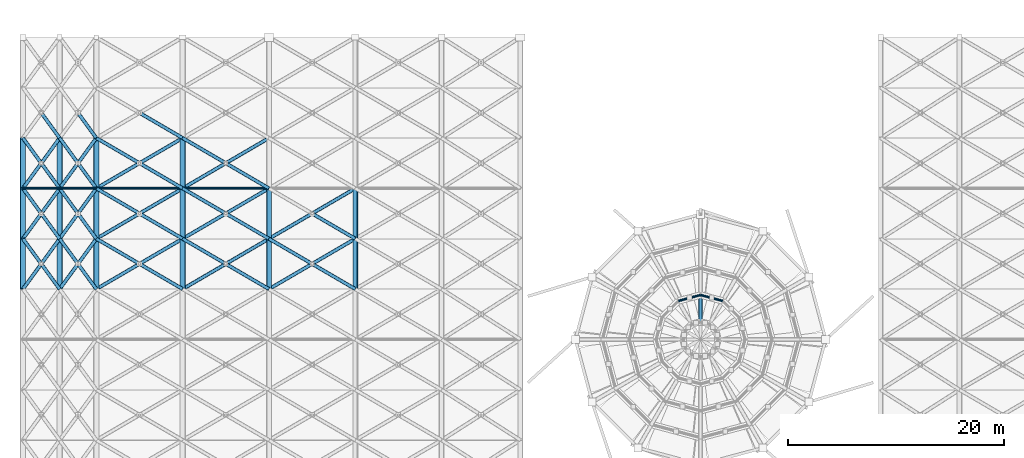
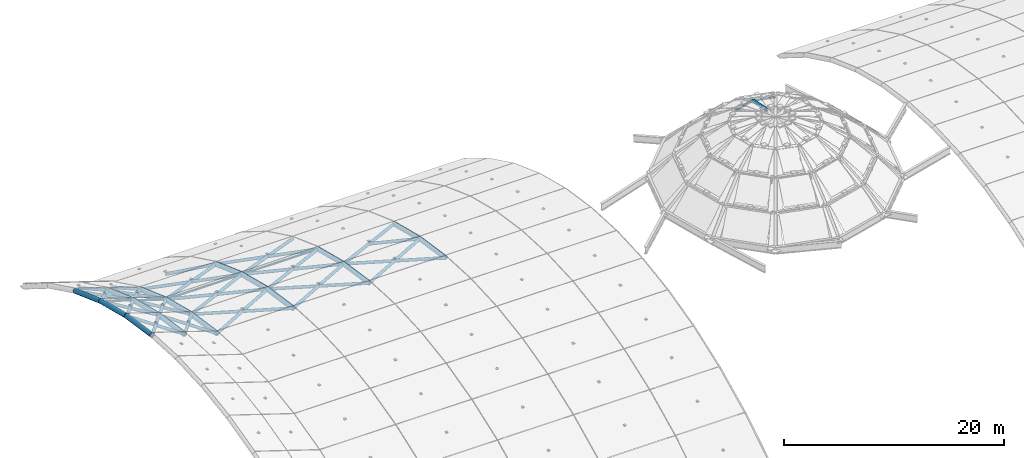
# One storey, part 5 of 21: 67 members.
"""IFC4 building model written with IfcOpenShell, lengths in metres."""

from ifc_helpers import new_model, si_unit, direction, frame, origin, origin_2d, place, context, subcontext, project, spatial, hollow_circle, extrude, material, material_profile, profile_set, type_object, element, save


model = new_model("IFC4")

# Units and contexts
model_context = context("Model", 3, precision=1e-05, world=origin(), true_north=direction((0.0, 1.0)))
body_context = subcontext(model_context, "Body", "Model", "MODEL_VIEW")
ifc_project = project(units=[si_unit("LENGTHUNIT", "METRE"), si_unit("AREAUNIT", "SQUARE_METRE"), si_unit("VOLUMEUNIT", "CUBIC_METRE"), si_unit("PLANEANGLEUNIT", "RADIAN"), si_unit("MASSUNIT", "GRAM", prefix="KILO")], contexts=[model_context])

# Site, building, storey
site_placement = place(None, origin())
site = spatial("IfcSite", under=ifc_project, at=site_placement, CompositionType="ELEMENT")
building_placement = place(site_placement, origin())
building = spatial("IfcBuilding", under=site, at=building_placement, Name="Solmirada Galleria", CompositionType="ELEMENT")
storey_placement = place(building_placement, frame((0.0, 0.0, 37.5)))
storey = spatial("IfcBuildingStorey", under=building, at=storey_placement, Name="RF", CompositionType="ELEMENT", Elevation=37.5)

# Members
ifc_material = material(Name="Steel S355 / ASTM A500 Grade C", Category="steel")
ifc_material_profile_1 = material_profile(ifc_material, hollow_circle(Radius=0.109619140625, WallThickness=0.007568359375, at=origin_2d()), Name="HSS8.625X0.322")
ifc_profile_set_1 = profile_set([ifc_material_profile_1], Name="Steel S355 / ASTM A500 Grade C")
member_type_1 = type_object("IfcMemberType", Name="MEM-DOME-PURL", PredefinedType="PURLIN", material=ifc_profile_set_1)
member_1_placement = place(storey_placement, frame((33.199951171875, 74.0, -0.27197265625), z_axis=(0.951440399165, 0.0, -0.307833017781), x_axis=(0.0, 1.0, 0.0)))
element("IfcMember", 1, at=member_1_placement, inside=storey, type_object=member_type_1, Name="Barrel gridshell longitudinal tie W00-09", PredefinedType="PURLIN", context=body_context, shape_type="SweptSolid", body=[
    extrude(hollow_circle(Radius=0.109619140625, WallThickness=0.007568359375, at=origin_2d()), origin(), (0.0, 0.0, 1.0), 3.57373046875),
])
member_2_placement = place(storey_placement, frame((36.60009765625, 74.0, -1.3720703125), z_axis=(0.951453934471, 0.0, -0.307791180152), x_axis=(0.0, 1.0, 0.0)))
element("IfcMember", 2, at=member_2_placement, inside=storey, type_object=member_type_1, Name="Barrel gridshell longitudinal tie W01-09", PredefinedType="PURLIN", context=body_context, shape_type="SweptSolid", body=[
    extrude(hollow_circle(Radius=0.109619140625, WallThickness=0.007568359375, at=origin_2d()), origin(), (0.0, 0.0, 1.0), 3.573486328125),
])
for number, where, z_axis, x_axis, name in (
    (3, (40.0, 74.0, -2.471923828125), (1.0, 0.0, 0.0), (0.0, 1.0, 0.0), "Barrel gridshell longitudinal tie W02-09"),
    (4, (48.0, 74.0, -2.471923828125), (1.0, 0.0, 0.0), (0.0, 1.0, 0.0), "Barrel gridshell longitudinal tie W03-09"),
):
    element("IfcMember", number, at=place(storey_placement, frame(where, z_axis=z_axis, x_axis=x_axis)), inside=storey, type_object=member_type_1, Name=name, PredefinedType="PURLIN", context=body_context, shape_type="SweptSolid", body=[
        extrude(hollow_circle(Radius=0.109619140625, WallThickness=0.007568359375, at=origin_2d()), origin(), (0.0, 0.0, 1.0), 8.0),
    ])
for number, where, z_axis, x_axis, name in (
    (5, (98.05908203125, 63.56640625, 6.005126953125), (-0.965951118307, 0.258724635553, 0.0), (-0.258724635553, -0.965951118307, 0.0), "Atrium dome latitude ring purlin 3.3"),
    (6, (96.0, 64.117919921875, 6.005126953125), (-0.965951118307, -0.258724635553, 0.0), (0.258724635553, -0.965951118307, 0.0), "Atrium dome latitude ring purlin 4.3"),
):
    element("IfcMember", number, at=place(storey_placement, frame(where, z_axis=z_axis, x_axis=x_axis)), inside=storey, type_object=member_type_1, Name=name, PredefinedType="PURLIN", context=body_context, shape_type="SweptSolid", body=[
        extrude(hollow_circle(Radius=0.109619140625, WallThickness=0.007568359375, at=origin_2d()), origin(), (0.0, 0.0, 1.0), 2.131591796875),
    ])
ifc_material_profile_2 = material_profile(ifc_material, hollow_circle(Radius=0.177978515625, WallThickness=0.01171875, at=origin_2d()), Name="HSS14.000X0.500")
ifc_profile_set_2 = profile_set([ifc_material_profile_2], Name="Steel S355 / ASTM A500 Grade C")
member_type_2 = type_object("IfcMemberType", Name="MEM-DOME-RIB", PredefinedType="RAFTER", material=ifc_profile_set_2)
member_3_placement = place(storey_placement, frame((96.0, 64.117919921875, 6.005126953125), z_axis=(0.0, -0.980875018314, 0.194638635548), x_axis=(1.0, 0.0, 0.0)))
element("IfcMember", 7, at=member_3_placement, inside=storey, type_object=member_type_2, Name="Atrium dome meridian rib 4.4", PredefinedType="RAFTER", context=body_context, shape_type="SweptSolid", body=[
    extrude(hollow_circle(Radius=0.177978515625, WallThickness=0.01171875, at=origin_2d()), origin(), (0.0, 0.0, 1.0), 2.54248046875),
])
ifc_material_profile_3 = material_profile(ifc_material, hollow_circle(Radius=0.25390625, WallThickness=0.01171875, at=origin_2d()), Name="HSS20.000X0.500")
ifc_profile_set_3 = profile_set([ifc_material_profile_3], Name="Steel S355 / ASTM A500 Grade C")
member_type_3 = type_object("IfcMemberType", Name="MEM-VAULT-ARCH1", PredefinedType="RAFTER", material=ifc_profile_set_3)
member_4_placement = place(storey_placement, frame((33.199951171875, 64.666748046875, 1.609130859375), z_axis=(0.0, 0.988997751156, -0.14793055198), x_axis=(-1.0, 0.0, 0.0)))
element("IfcMember", 8, at=member_4_placement, inside=storey, type_object=member_type_3, Name="Barrel vault arch rib W00-07", PredefinedType="RAFTER", context=body_context, shape_type="SweptSolid", body=[
    extrude(hollow_circle(Radius=0.25390625, WallThickness=0.01171875, at=origin_2d()), origin(), (0.0, 0.0, 1.0), 4.718505859375),
])
member_5_placement = place(storey_placement, frame((33.199951171875, 69.333251953125, 0.9111328125), z_axis=(0.0, 0.969334768515, -0.245743985782), x_axis=(-1.0, 0.0, 0.0)))
element("IfcMember", 9, at=member_5_placement, inside=storey, type_object=member_type_3, Name="Barrel vault arch rib W00-08", PredefinedType="RAFTER", context=body_context, shape_type="SweptSolid", body=[
    extrude(hollow_circle(Radius=0.25390625, WallThickness=0.01171875, at=origin_2d()), origin(), (0.0, 0.0, 1.0), 4.814453125),
])
member_6_placement = place(storey_placement, frame((33.199951171875, 74.0, -0.27197265625), z_axis=(0.0, 0.939570777515, -0.342354719612), x_axis=(-1.0, 0.0, 0.0)))
element("IfcMember", 10, at=member_6_placement, inside=storey, type_object=member_type_3, Name="Barrel vault arch rib W00-09", PredefinedType="RAFTER", context=body_context, shape_type="SweptSolid", body=[
    extrude(hollow_circle(Radius=0.25390625, WallThickness=0.01171875, at=origin_2d()), origin(), (0.0, 0.0, 1.0), 4.966796875),
])
member_7_placement = place(storey_placement, frame((36.60009765625, 64.666748046875, 0.50927734375), z_axis=(0.0, 0.988990179901, -0.147981161165), x_axis=(-1.0, 0.0, 0.0)))
element("IfcMember", 11, at=member_7_placement, inside=storey, type_object=member_type_3, Name="Barrel vault arch rib W01-07", PredefinedType="RAFTER", context=body_context, shape_type="SweptSolid", body=[
    extrude(hollow_circle(Radius=0.25390625, WallThickness=0.01171875, at=origin_2d()), origin(), (0.0, 0.0, 1.0), 4.718505859375),
])
member_8_placement = place(storey_placement, frame((36.60009765625, 69.333251953125, -0.18896484375), z_axis=(0.0, 0.969334768515, -0.245743985782), x_axis=(-1.0, 0.0, 0.0)))
element("IfcMember", 12, at=member_8_placement, inside=storey, type_object=member_type_3, Name="Barrel vault arch rib W01-08", PredefinedType="RAFTER", context=body_context, shape_type="SweptSolid", body=[
    extrude(hollow_circle(Radius=0.25390625, WallThickness=0.01171875, at=origin_2d()), origin(), (0.0, 0.0, 1.0), 4.814453125),
])
member_9_placement = place(storey_placement, frame((36.60009765625, 74.0, -1.3720703125), z_axis=(0.0, 0.939570777515, -0.342354719612), x_axis=(-1.0, 0.0, 0.0)))
element("IfcMember", 13, at=member_9_placement, inside=storey, type_object=member_type_3, Name="Barrel vault arch rib W01-09", PredefinedType="RAFTER", context=body_context, shape_type="SweptSolid", body=[
    extrude(hollow_circle(Radius=0.25390625, WallThickness=0.01171875, at=origin_2d()), origin(), (0.0, 0.0, 1.0), 4.966796875),
])
member_10_placement = place(storey_placement, frame((40.0, 64.666748046875, -0.5908203125), z_axis=(0.0, 0.988997751156, -0.14793055198), x_axis=(-1.0, 0.0, 0.0)))
element("IfcMember", 14, at=member_10_placement, inside=storey, type_object=member_type_3, Name="Barrel vault arch rib W02-07", PredefinedType="RAFTER", context=body_context, shape_type="SweptSolid", body=[
    extrude(hollow_circle(Radius=0.25390625, WallThickness=0.01171875, at=origin_2d()), origin(), (0.0, 0.0, 1.0), 4.718505859375),
])
member_11_placement = place(storey_placement, frame((40.0, 69.333251953125, -1.288818359375), z_axis=(0.0, 0.969334768515, -0.245743985782), x_axis=(-1.0, 0.0, 0.0)))
element("IfcMember", 15, at=member_11_placement, inside=storey, type_object=member_type_3, Name="Barrel vault arch rib W02-08", PredefinedType="RAFTER", context=body_context, shape_type="SweptSolid", body=[
    extrude(hollow_circle(Radius=0.25390625, WallThickness=0.01171875, at=origin_2d()), origin(), (0.0, 0.0, 1.0), 4.814453125),
])
member_12_placement = place(storey_placement, frame((40.0, 74.0, -2.471923828125), z_axis=(0.0, 0.939570777515, -0.342354719612), x_axis=(-1.0, 0.0, 0.0)))
element("IfcMember", 16, at=member_12_placement, inside=storey, type_object=member_type_3, Name="Barrel vault arch rib W02-09", PredefinedType="RAFTER", context=body_context, shape_type="SweptSolid", body=[
    extrude(hollow_circle(Radius=0.25390625, WallThickness=0.01171875, at=origin_2d()), origin(), (0.0, 0.0, 1.0), 4.966796875),
])
member_13_placement = place(storey_placement, frame((48.0, 64.666748046875, -0.5908203125), z_axis=(0.0, 0.988997751156, -0.14793055198), x_axis=(-1.0, 0.0, 0.0)))
element("IfcMember", 17, at=member_13_placement, inside=storey, type_object=member_type_3, Name="Barrel vault arch rib W03-07", PredefinedType="RAFTER", context=body_context, shape_type="SweptSolid", body=[
    extrude(hollow_circle(Radius=0.25390625, WallThickness=0.01171875, at=origin_2d()), origin(), (0.0, 0.0, 1.0), 4.718505859375),
])
member_14_placement = place(storey_placement, frame((48.0, 69.333251953125, -1.288818359375), z_axis=(0.0, 0.969334768515, -0.245743985782), x_axis=(-1.0, 0.0, 0.0)))
element("IfcMember", 18, at=member_14_placement, inside=storey, type_object=member_type_3, Name="Barrel vault arch rib W03-08", PredefinedType="RAFTER", context=body_context, shape_type="SweptSolid", body=[
    extrude(hollow_circle(Radius=0.25390625, WallThickness=0.01171875, at=origin_2d()), origin(), (0.0, 0.0, 1.0), 4.814453125),
])
member_15_placement = place(storey_placement, frame((48.0, 74.0, -2.471923828125), z_axis=(0.0, 0.939570777515, -0.342354719612), x_axis=(-1.0, 0.0, 0.0)))
element("IfcMember", 19, at=member_15_placement, inside=storey, type_object=member_type_3, Name="Barrel vault arch rib W03-09", PredefinedType="RAFTER", context=body_context, shape_type="SweptSolid", body=[
    extrude(hollow_circle(Radius=0.25390625, WallThickness=0.01171875, at=origin_2d()), origin(), (0.0, 0.0, 1.0), 4.966796875),
])
ifc_material_profile_4 = material_profile(ifc_material, hollow_circle(Radius=0.228515625, WallThickness=0.01171875, at=origin_2d()), Name="HSS18.000X0.500")
ifc_profile_set_4 = profile_set([ifc_material_profile_4], Name="Steel S355 / ASTM A500 Grade C")
member_type_4 = type_object("IfcMemberType", Name="MEM-VAULT-ARCH2", PredefinedType="RAFTER", material=ifc_profile_set_4)
member_16_placement = place(storey_placement, frame((56.0, 64.666748046875, -0.5908203125), z_axis=(0.0, 0.988997751156, -0.14793055198), x_axis=(-1.0, 0.0, 0.0)))
element("IfcMember", 20, at=member_16_placement, inside=storey, type_object=member_type_4, Name="Barrel vault arch rib W04-07", PredefinedType="RAFTER", context=body_context, shape_type="SweptSolid", body=[
    extrude(hollow_circle(Radius=0.228515625, WallThickness=0.01171875, at=origin_2d()), origin(), (0.0, 0.0, 1.0), 4.718505859375),
])
member_17_placement = place(storey_placement, frame((56.0, 69.333251953125, -1.288818359375), z_axis=(0.0, 0.969334768515, -0.245743985782), x_axis=(-1.0, 0.0, 0.0)))
element("IfcMember", 21, at=member_17_placement, inside=storey, type_object=member_type_4, Name="Barrel vault arch rib W04-08", PredefinedType="RAFTER", context=body_context, shape_type="SweptSolid", body=[
    extrude(hollow_circle(Radius=0.228515625, WallThickness=0.01171875, at=origin_2d()), origin(), (0.0, 0.0, 1.0), 4.814453125),
])
member_18_placement = place(storey_placement, frame((64.0, 64.666748046875, -0.5908203125), z_axis=(0.0, 0.988997751156, -0.14793055198), x_axis=(-1.0, 0.0, 0.0)))
element("IfcMember", 22, at=member_18_placement, inside=storey, type_object=member_type_4, Name="Barrel vault arch rib W05-07", PredefinedType="RAFTER", context=body_context, shape_type="SweptSolid", body=[
    extrude(hollow_circle(Radius=0.228515625, WallThickness=0.01171875, at=origin_2d()), origin(), (0.0, 0.0, 1.0), 4.718505859375),
])
member_19_placement = place(storey_placement, frame((64.0, 69.333251953125, -1.288818359375), z_axis=(0.0, 0.969334768515, -0.245743985782), x_axis=(-1.0, 0.0, 0.0)))
element("IfcMember", 23, at=member_19_placement, inside=storey, type_object=member_type_4, Name="Barrel vault arch rib W05-08", PredefinedType="RAFTER", context=body_context, shape_type="SweptSolid", body=[
    extrude(hollow_circle(Radius=0.228515625, WallThickness=0.01171875, at=origin_2d()), origin(), (0.0, 0.0, 1.0), 4.814453125),
])
ifc_material_profile_5 = material_profile(ifc_material, hollow_circle(Radius=0.162109375, WallThickness=0.0087890625, at=origin_2d()), Name="HSS12.750X0.375")
ifc_profile_set_5 = profile_set([ifc_material_profile_5], Name="Steel S355 / ASTM A500 Grade C")
member_type_5 = type_object("IfcMemberType", Name="MEM-VAULT-DIAG", PredefinedType="BRACE", material=ifc_profile_set_5)
member_20_placement = place(storey_placement, frame((33.199951171875, 64.666748046875, 1.609130859375), z_axis=(0.562254260027, 0.771661371879, -0.297336298205), x_axis=(-0.808214646261, 0.588888007663, 0.0)))
element("IfcMember", 24, at=member_20_placement, inside=storey, type_object=member_type_5, Name="Barrel gridshell continuous diagonal W00-07", PredefinedType="BRACE", context=body_context, shape_type="SweptSolid", body=[
    extrude(hollow_circle(Radius=0.162109375, WallThickness=0.0087890625, at=origin_2d()), origin(), (0.0, 0.0, 1.0), 6.04736328125),
])
member_21_placement = place(storey_placement, frame((33.199951171875, 69.333251953125, 0.9111328125), z_axis=(0.587439237679, -0.80628418706, -0.069433073763), x_axis=(0.808234771228, 0.58886038632, 0.0)))
element("IfcMember", 25, at=member_21_placement, inside=storey, type_object=member_type_5, Name="Barrel gridshell split diagonal B1 W00-07", PredefinedType="BRACE", context=body_context, shape_type="SweptSolid", body=[
    extrude(hollow_circle(Radius=0.162109375, WallThickness=0.0087890625, at=origin_2d()), origin(), (0.0, 0.0, 1.0), 2.893798828125),
])
member_22_placement = place(storey_placement, frame((34.89990234375, 67.0, 0.710205078125), z_axis=(0.587494486028, -0.806244227882, -0.069429632682), x_axis=(0.808194521352, 0.588915626943, 0.0)))
element("IfcMember", 26, at=member_22_placement, inside=storey, type_object=member_type_5, Name="Barrel gridshell split diagonal B2 W00-07", PredefinedType="BRACE", context=body_context, shape_type="SweptSolid", body=[
    extrude(hollow_circle(Radius=0.162109375, WallThickness=0.0087890625, at=origin_2d()), origin(), (0.0, 0.0, 1.0), 2.89404296875),
])
member_23_placement = place(storey_placement, frame((33.199951171875, 69.333251953125, 0.9111328125), z_axis=(0.54760962558, 0.751601780208, -0.367720630317), x_axis=(-0.808229309107, 0.58886788323, 0.0)))
element("IfcMember", 27, at=member_23_placement, inside=storey, type_object=member_type_5, Name="Barrel gridshell continuous diagonal W00-08", PredefinedType="BRACE", context=body_context, shape_type="SweptSolid", body=[
    extrude(hollow_circle(Radius=0.162109375, WallThickness=0.0087890625, at=origin_2d()), origin(), (0.0, 0.0, 1.0), 6.208984375),
])
member_24_placement = place(storey_placement, frame((33.199951171875, 74.0, -0.27197265625), z_axis=(0.588799538538, -0.808151255178, 0.01437540163), x_axis=(0.808234771228, 0.58886038632, 0.0)))
element("IfcMember", 28, at=member_24_placement, inside=storey, type_object=member_type_5, Name="Barrel gridshell split diagonal B1 W00-08", PredefinedType="BRACE", context=body_context, shape_type="SweptSolid", body=[
    extrude(hollow_circle(Radius=0.162109375, WallThickness=0.0087890625, at=origin_2d()), origin(), (0.0, 0.0, 1.0), 2.88720703125),
])
member_25_placement = place(storey_placement, frame((34.89990234375, 71.666748046875, -0.23046875), z_axis=(0.588814544245, -0.808140352369, 0.014373703694), x_axis=(0.808223847562, 0.588875379203, 0.0)))
element("IfcMember", 29, at=member_25_placement, inside=storey, type_object=member_type_5, Name="Barrel gridshell split diagonal B2 W00-08", PredefinedType="BRACE", context=body_context, shape_type="SweptSolid", body=[
    extrude(hollow_circle(Radius=0.162109375, WallThickness=0.0087890625, at=origin_2d()), origin(), (0.0, 0.0, 1.0), 2.887451171875),
])
member_26_placement = place(storey_placement, frame((33.199951171875, 74.0, -0.27197265625), z_axis=(0.529835501819, 0.727206549672, -0.436400017331), x_axis=(-0.808229309107, 0.58886788323, 0.0)))
element("IfcMember", 30, at=member_26_placement, inside=storey, type_object=member_type_5, Name="Barrel gridshell continuous diagonal W00-09", PredefinedType="BRACE", context=body_context, shape_type="SweptSolid", body=[
    extrude(hollow_circle(Radius=0.162109375, WallThickness=0.0087890625, at=origin_2d()), origin(), (0.0, 0.0, 1.0), 6.41748046875),
])
for number, where, z_axis, x_axis, name in (
    (31, (33.199951171875, 78.666748046875, -1.972412109375), (0.585660562263, -0.803926993266, 0.103455764984), (0.808264093398, 0.588820138348, 0.0), "Barrel gridshell split diagonal B1 W00-09"),
    (32, (34.89990234375, 76.333251953125, -1.672119140625), (0.585760517422, -0.803864627369, 0.103374450878), (0.808194521352, 0.588915626943, 0.0), "Barrel gridshell split diagonal B2 W00-09"),
):
    element("IfcMember", number, at=place(storey_placement, frame(where, z_axis=z_axis, x_axis=x_axis)), inside=storey, type_object=member_type_5, Name=name, PredefinedType="BRACE", context=body_context, shape_type="SweptSolid", body=[
        extrude(hollow_circle(Radius=0.162109375, WallThickness=0.0087890625, at=origin_2d()), origin(), (0.0, 0.0, 1.0), 2.902587890625),
    ])
member_27_placement = place(storey_placement, frame((34.89990234375, 81.0, -3.656982421875), z_axis=(0.577205694167, -0.792124471446, 0.198424817897), x_axis=(0.808194521352, 0.588915626943, 0.0)))
element("IfcMember", 33, at=member_27_placement, inside=storey, type_object=member_type_5, Name="Barrel gridshell split diagonal B2 W00-10", PredefinedType="BRACE", context=body_context, shape_type="SweptSolid", body=[
    extrude(hollow_circle(Radius=0.162109375, WallThickness=0.0087890625, at=origin_2d()), origin(), (0.0, 0.0, 1.0), 2.945556640625),
])
member_28_placement = place(storey_placement, frame((36.60009765625, 64.666748046875, 0.50927734375), z_axis=(0.562226650205, 0.771678887837, -0.297343047448), x_axis=(-0.808234771228, 0.58886038632, 0.0)))
element("IfcMember", 34, at=member_28_placement, inside=storey, type_object=member_type_5, Name="Barrel gridshell continuous diagonal W01-07", PredefinedType="BRACE", context=body_context, shape_type="SweptSolid", body=[
    extrude(hollow_circle(Radius=0.162109375, WallThickness=0.0087890625, at=origin_2d()), origin(), (0.0, 0.0, 1.0), 6.047119140625),
])
for number, where, z_axis, x_axis, name in (
    (35, (36.60009765625, 69.333251953125, -0.18896484375), (0.587439237679, -0.80628418706, -0.069433073763), (0.808234771228, 0.58886038632, 0.0), "Barrel gridshell split diagonal B1 W01-07"),
    (36, (38.300048828125, 67.0, -0.389892578125), (0.587439237679, -0.80628418706, -0.069433073763), (0.808234771228, 0.58886038632, 0.0), "Barrel gridshell split diagonal B2 W01-07"),
):
    element("IfcMember", number, at=place(storey_placement, frame(where, z_axis=z_axis, x_axis=x_axis)), inside=storey, type_object=member_type_5, Name=name, PredefinedType="BRACE", context=body_context, shape_type="SweptSolid", body=[
        extrude(hollow_circle(Radius=0.162109375, WallThickness=0.0087890625, at=origin_2d()), origin(), (0.0, 0.0, 1.0), 2.893798828125),
    ])
member_29_placement = place(storey_placement, frame((36.60009765625, 69.333251953125, -0.18896484375), z_axis=(0.547590013283, 0.751628831244, -0.367694543603), x_axis=(-0.808249433065, 0.588840261829, 0.0)))
element("IfcMember", 37, at=member_29_placement, inside=storey, type_object=member_type_5, Name="Barrel gridshell continuous diagonal W01-08", PredefinedType="BRACE", context=body_context, shape_type="SweptSolid", body=[
    extrude(hollow_circle(Radius=0.162109375, WallThickness=0.0087890625, at=origin_2d()), origin(), (0.0, 0.0, 1.0), 6.208740234375),
])
member_30_placement = place(storey_placement, frame((36.60009765625, 74.0, -1.3720703125), z_axis=(0.588798820689, -0.808150269901, 0.014459945187), x_axis=(0.808234771228, 0.58886038632, 0.0)))
element("IfcMember", 38, at=member_30_placement, inside=storey, type_object=member_type_5, Name="Barrel gridshell split diagonal B1 W01-08", PredefinedType="BRACE", context=body_context, shape_type="SweptSolid", body=[
    extrude(hollow_circle(Radius=0.162109375, WallThickness=0.0087890625, at=origin_2d()), origin(), (0.0, 0.0, 1.0), 2.88720703125),
])
member_31_placement = place(storey_placement, frame((38.300048828125, 71.666748046875, -1.330322265625), z_axis=(0.58875930304, -0.808180585732, 0.01437441929), x_axis=(0.808264093398, 0.588820138348, 0.0)))
element("IfcMember", 39, at=member_31_placement, inside=storey, type_object=member_type_5, Name="Barrel gridshell split diagonal B2 W01-08", PredefinedType="BRACE", context=body_context, shape_type="SweptSolid", body=[
    extrude(hollow_circle(Radius=0.162109375, WallThickness=0.0087890625, at=origin_2d()), origin(), (0.0, 0.0, 1.0), 2.887451171875),
])
member_32_placement = place(storey_placement, frame((36.60009765625, 74.0, -1.3720703125), z_axis=(0.529816933312, 0.72723328165, -0.436378014153), x_axis=(-0.808249433065, 0.588840261829, 0.0)))
element("IfcMember", 40, at=member_32_placement, inside=storey, type_object=member_type_5, Name="Barrel gridshell continuous diagonal W01-09", PredefinedType="BRACE", context=body_context, shape_type="SweptSolid", body=[
    extrude(hollow_circle(Radius=0.162109375, WallThickness=0.0087890625, at=origin_2d()), origin(), (0.0, 0.0, 1.0), 6.417236328125),
])
member_33_placement = place(storey_placement, frame((36.60009765625, 78.666748046875, -3.072509765625), z_axis=(0.585660562263, -0.803926993266, 0.103455764984), x_axis=(0.808264093398, 0.588820138348, 0.0)))
element("IfcMember", 41, at=member_33_placement, inside=storey, type_object=member_type_5, Name="Barrel gridshell split diagonal B1 W01-09", PredefinedType="BRACE", context=body_context, shape_type="SweptSolid", body=[
    extrude(hollow_circle(Radius=0.162109375, WallThickness=0.0087890625, at=origin_2d()), origin(), (0.0, 0.0, 1.0), 2.902587890625),
])
member_34_placement = place(storey_placement, frame((38.300048828125, 76.333251953125, -2.772216796875), z_axis=(0.585700165757, -0.80389724029, 0.103462760862), x_axis=(0.808234771228, 0.58886038632, 0.0)))
element("IfcMember", 42, at=member_34_placement, inside=storey, type_object=member_type_5, Name="Barrel gridshell split diagonal B2 W01-09", PredefinedType="BRACE", context=body_context, shape_type="SweptSolid", body=[
    extrude(hollow_circle(Radius=0.162109375, WallThickness=0.0087890625, at=origin_2d()), origin(), (0.0, 0.0, 1.0), 2.90234375),
])
member_35_placement = place(storey_placement, frame((38.300048828125, 81.0, -4.757080078125), z_axis=(0.577140925583, -0.792149335889, 0.198513933185), x_axis=(0.808234771228, 0.58886038632, 0.0)))
element("IfcMember", 43, at=member_35_placement, inside=storey, type_object=member_type_5, Name="Barrel gridshell split diagonal B2 W01-10", PredefinedType="BRACE", context=body_context, shape_type="SweptSolid", body=[
    extrude(hollow_circle(Radius=0.162109375, WallThickness=0.0087890625, at=origin_2d()), origin(), (0.0, 0.0, 1.0), 2.945556640625),
])
member_36_placement = place(storey_placement, frame((40.0, 64.666748046875, -0.5908203125), z_axis=(0.861343836227, 0.502433047047, -0.075152039422), x_axis=(-0.503857913421, 0.863786549492, 0.0)))
element("IfcMember", 44, at=member_36_placement, inside=storey, type_object=member_type_5, Name="Barrel gridshell continuous diagonal W02-07", PredefinedType="BRACE", context=body_context, shape_type="SweptSolid", body=[
    extrude(hollow_circle(Radius=0.162109375, WallThickness=0.0087890625, at=origin_2d()), origin(), (0.0, 0.0, 1.0), 9.287841796875),
])
for number, where, z_axis, x_axis, name in (
    (45, (40.0, 69.333251953125, -1.288818359375), (0.861342134387, -0.502432054342, 0.075178177013), (0.503857913421, 0.863786549492, 0.0), "Barrel gridshell split diagonal B1 W02-07"),
    (46, (44.0, 67.0, -0.939697265625), (0.861345537481, -0.502434039411, 0.075125901676), (0.503857913421, 0.863786549492, 0.0), "Barrel gridshell split diagonal B2 W02-07"),
):
    element("IfcMember", number, at=place(storey_placement, frame(where, z_axis=z_axis, x_axis=x_axis)), inside=storey, type_object=member_type_5, Name=name, PredefinedType="BRACE", context=body_context, shape_type="SweptSolid", body=[
        extrude(hollow_circle(Radius=0.162109375, WallThickness=0.0087890625, at=origin_2d()), origin(), (0.0, 0.0, 1.0), 4.643798828125),
    ])
member_37_placement = place(storey_placement, frame((40.0, 69.333251953125, -1.288818359375), z_axis=(0.856812609173, 0.499816071299, -0.126712460451), x_axis=(-0.503877581445, 0.863775076578, 0.0)))
element("IfcMember", 47, at=member_37_placement, inside=storey, type_object=member_type_5, Name="Barrel gridshell continuous diagonal W02-08", PredefinedType="BRACE", context=body_context, shape_type="SweptSolid", body=[
    extrude(hollow_circle(Radius=0.162109375, WallThickness=0.0087890625, at=origin_2d()), origin(), (0.0, 0.0, 1.0), 9.3369140625),
])
for number, where, z_axis, x_axis, name in (
    (48, (40.0, 74.0, -2.471923828125), (0.856823806881, -0.499796455222, 0.126714116459), (0.503857913421, 0.863786549492, 0.0), "Barrel gridshell split diagonal B1 W02-08"),
    (49, (44.0, 71.666748046875, -1.88037109375), (0.856801411318, -0.499835686608, 0.12671080442), (0.503897248685, 0.863763603521, 0.0), "Barrel gridshell split diagonal B2 W02-08"),
):
    element("IfcMember", number, at=place(storey_placement, frame(where, z_axis=z_axis, x_axis=x_axis)), inside=storey, type_object=member_type_5, Name=name, PredefinedType="BRACE", context=body_context, shape_type="SweptSolid", body=[
        extrude(hollow_circle(Radius=0.162109375, WallThickness=0.0087890625, at=origin_2d()), origin(), (0.0, 0.0, 1.0), 4.66845703125),
    ])
member_38_placement = place(storey_placement, frame((40.0, 74.0, -2.471923828125), z_axis=(0.84957466948, 0.495593866184, -0.180581285795), x_axis=(-0.503877581445, 0.863775076578, 0.0)))
element("IfcMember", 50, at=member_38_placement, inside=storey, type_object=member_type_5, Name="Barrel gridshell continuous diagonal W02-09", PredefinedType="BRACE", context=body_context, shape_type="SweptSolid", body=[
    extrude(hollow_circle(Radius=0.162109375, WallThickness=0.0087890625, at=origin_2d()), origin(), (0.0, 0.0, 1.0), 9.41650390625),
])
for number, where, z_axis, x_axis, name in (
    (51, (40.0, 78.666748046875, -4.17236328125), (0.849567730246, -0.495615744977, 0.180553884077), (0.503897248685, 0.863763603521, 0.0), "Barrel gridshell split diagonal B1 W02-09"),
    (52, (44.0, 76.333251953125, -3.322265625), (0.849581607741, -0.4955719864, 0.18060868773), (0.503857913421, 0.863786549492, 0.0), "Barrel gridshell split diagonal B2 W02-09"),
):
    element("IfcMember", number, at=place(storey_placement, frame(where, z_axis=z_axis, x_axis=x_axis)), inside=storey, type_object=member_type_5, Name=name, PredefinedType="BRACE", context=body_context, shape_type="SweptSolid", body=[
        extrude(hollow_circle(Radius=0.162109375, WallThickness=0.0087890625, at=origin_2d()), origin(), (0.0, 0.0, 1.0), 4.708251953125),
    ])
member_39_placement = place(storey_placement, frame((44.0, 81.0, -5.306884765625), z_axis=(0.838974526438, -0.489384738108, 0.237958656272), x_axis=(0.503857913421, 0.863786549492, 0.0)))
element("IfcMember", 53, at=member_39_placement, inside=storey, type_object=member_type_5, Name="Barrel gridshell split diagonal B2 W02-10", PredefinedType="BRACE", context=body_context, shape_type="SweptSolid", body=[
    extrude(hollow_circle(Radius=0.162109375, WallThickness=0.0087890625, at=origin_2d()), origin(), (0.0, 0.0, 1.0), 4.767822265625),
])
member_40_placement = place(storey_placement, frame((48.0, 64.666748046875, -0.5908203125), z_axis=(0.861343836227, 0.502433047047, -0.075152039422), x_axis=(-0.503857913421, 0.863786549492, 0.0)))
element("IfcMember", 54, at=member_40_placement, inside=storey, type_object=member_type_5, Name="Barrel gridshell continuous diagonal W03-07", PredefinedType="BRACE", context=body_context, shape_type="SweptSolid", body=[
    extrude(hollow_circle(Radius=0.162109375, WallThickness=0.0087890625, at=origin_2d()), origin(), (0.0, 0.0, 1.0), 9.287841796875),
])
for number, where, z_axis, x_axis, name in (
    (55, (48.0, 69.333251953125, -1.288818359375), (0.861342134387, -0.502432054342, 0.075178177013), (0.503857913421, 0.863786549492, 0.0), "Barrel gridshell split diagonal B1 W03-07"),
    (56, (52.0, 67.0, -0.939697265625), (0.861345537481, -0.502434039411, 0.075125901676), (0.503857913421, 0.863786549492, 0.0), "Barrel gridshell split diagonal B2 W03-07"),
):
    element("IfcMember", number, at=place(storey_placement, frame(where, z_axis=z_axis, x_axis=x_axis)), inside=storey, type_object=member_type_5, Name=name, PredefinedType="BRACE", context=body_context, shape_type="SweptSolid", body=[
        extrude(hollow_circle(Radius=0.162109375, WallThickness=0.0087890625, at=origin_2d()), origin(), (0.0, 0.0, 1.0), 4.643798828125),
    ])
member_41_placement = place(storey_placement, frame((48.0, 69.333251953125, -1.288818359375), z_axis=(0.856812609173, 0.499816071299, -0.126712460451), x_axis=(-0.503877581445, 0.863775076578, 0.0)))
element("IfcMember", 57, at=member_41_placement, inside=storey, type_object=member_type_5, Name="Barrel gridshell continuous diagonal W03-08", PredefinedType="BRACE", context=body_context, shape_type="SweptSolid", body=[
    extrude(hollow_circle(Radius=0.162109375, WallThickness=0.0087890625, at=origin_2d()), origin(), (0.0, 0.0, 1.0), 9.3369140625),
])
for number, where, z_axis, x_axis, name in (
    (58, (48.0, 74.0, -2.471923828125), (0.856823806881, -0.499796455222, 0.126714116459), (0.503857913421, 0.863786549492, 0.0), "Barrel gridshell split diagonal B1 W03-08"),
    (59, (52.0, 71.666748046875, -1.88037109375), (0.856801411318, -0.499835686608, 0.12671080442), (0.503897248685, 0.863763603521, 0.0), "Barrel gridshell split diagonal B2 W03-08"),
):
    element("IfcMember", number, at=place(storey_placement, frame(where, z_axis=z_axis, x_axis=x_axis)), inside=storey, type_object=member_type_5, Name=name, PredefinedType="BRACE", context=body_context, shape_type="SweptSolid", body=[
        extrude(hollow_circle(Radius=0.162109375, WallThickness=0.0087890625, at=origin_2d()), origin(), (0.0, 0.0, 1.0), 4.66845703125),
    ])
member_42_placement = place(storey_placement, frame((48.0, 74.0, -2.471923828125), z_axis=(0.84957466948, 0.495593866184, -0.180581285795), x_axis=(-0.503877581445, 0.863775076578, 0.0)))
element("IfcMember", 60, at=member_42_placement, inside=storey, type_object=member_type_5, Name="Barrel gridshell continuous diagonal W03-09", PredefinedType="BRACE", context=body_context, shape_type="SweptSolid", body=[
    extrude(hollow_circle(Radius=0.162109375, WallThickness=0.0087890625, at=origin_2d()), origin(), (0.0, 0.0, 1.0), 9.41650390625),
])
for number, where, z_axis, x_axis, name in (
    (61, (48.0, 78.666748046875, -4.17236328125), (0.849567730246, -0.495615744977, 0.180553884077), (0.503897248685, 0.863763603521, 0.0), "Barrel gridshell split diagonal B1 W03-09"),
    (62, (52.0, 76.333251953125, -3.322265625), (0.849581607741, -0.4955719864, 0.18060868773), (0.503857913421, 0.863786549492, 0.0), "Barrel gridshell split diagonal B2 W03-09"),
):
    element("IfcMember", number, at=place(storey_placement, frame(where, z_axis=z_axis, x_axis=x_axis)), inside=storey, type_object=member_type_5, Name=name, PredefinedType="BRACE", context=body_context, shape_type="SweptSolid", body=[
        extrude(hollow_circle(Radius=0.162109375, WallThickness=0.0087890625, at=origin_2d()), origin(), (0.0, 0.0, 1.0), 4.708251953125),
    ])
member_43_placement = place(storey_placement, frame((56.0, 64.666748046875, -0.5908203125), z_axis=(0.861343836227, 0.502433047047, -0.075152039422), x_axis=(-0.503857913421, 0.863786549492, 0.0)))
element("IfcMember", 63, at=member_43_placement, inside=storey, type_object=member_type_5, Name="Barrel gridshell continuous diagonal W04-07", PredefinedType="BRACE", context=body_context, shape_type="SweptSolid", body=[
    extrude(hollow_circle(Radius=0.162109375, WallThickness=0.0087890625, at=origin_2d()), origin(), (0.0, 0.0, 1.0), 9.287841796875),
])
for number, where, z_axis, x_axis, name in (
    (64, (56.0, 69.333251953125, -1.288818359375), (0.861342134387, -0.502432054342, 0.075178177013), (0.503857913421, 0.863786549492, 0.0), "Barrel gridshell split diagonal B1 W04-07"),
    (65, (60.0, 67.0, -0.939697265625), (0.861345537481, -0.502434039411, 0.075125901676), (0.503857913421, 0.863786549492, 0.0), "Barrel gridshell split diagonal B2 W04-07"),
):
    element("IfcMember", number, at=place(storey_placement, frame(where, z_axis=z_axis, x_axis=x_axis)), inside=storey, type_object=member_type_5, Name=name, PredefinedType="BRACE", context=body_context, shape_type="SweptSolid", body=[
        extrude(hollow_circle(Radius=0.162109375, WallThickness=0.0087890625, at=origin_2d()), origin(), (0.0, 0.0, 1.0), 4.643798828125),
    ])
member_44_placement = place(storey_placement, frame((56.0, 69.333251953125, -1.288818359375), z_axis=(0.856812609173, 0.499816071299, -0.126712460451), x_axis=(-0.503877581445, 0.863775076578, 0.0)))
element("IfcMember", 66, at=member_44_placement, inside=storey, type_object=member_type_5, Name="Barrel gridshell continuous diagonal W04-08", PredefinedType="BRACE", context=body_context, shape_type="SweptSolid", body=[
    extrude(hollow_circle(Radius=0.162109375, WallThickness=0.0087890625, at=origin_2d()), origin(), (0.0, 0.0, 1.0), 9.3369140625),
])
member_45_placement = place(storey_placement, frame((60.0, 71.666748046875, -1.88037109375), z_axis=(0.856801411318, -0.499835686608, 0.12671080442), x_axis=(0.503897248685, 0.863763603521, 0.0)))
element("IfcMember", 67, at=member_45_placement, inside=storey, type_object=member_type_5, Name="Barrel gridshell split diagonal B2 W04-08", PredefinedType="BRACE", context=body_context, shape_type="SweptSolid", body=[
    extrude(hollow_circle(Radius=0.162109375, WallThickness=0.0087890625, at=origin_2d()), origin(), (0.0, 0.0, 1.0), 4.66845703125),
])

save(model, "model.ifc")
